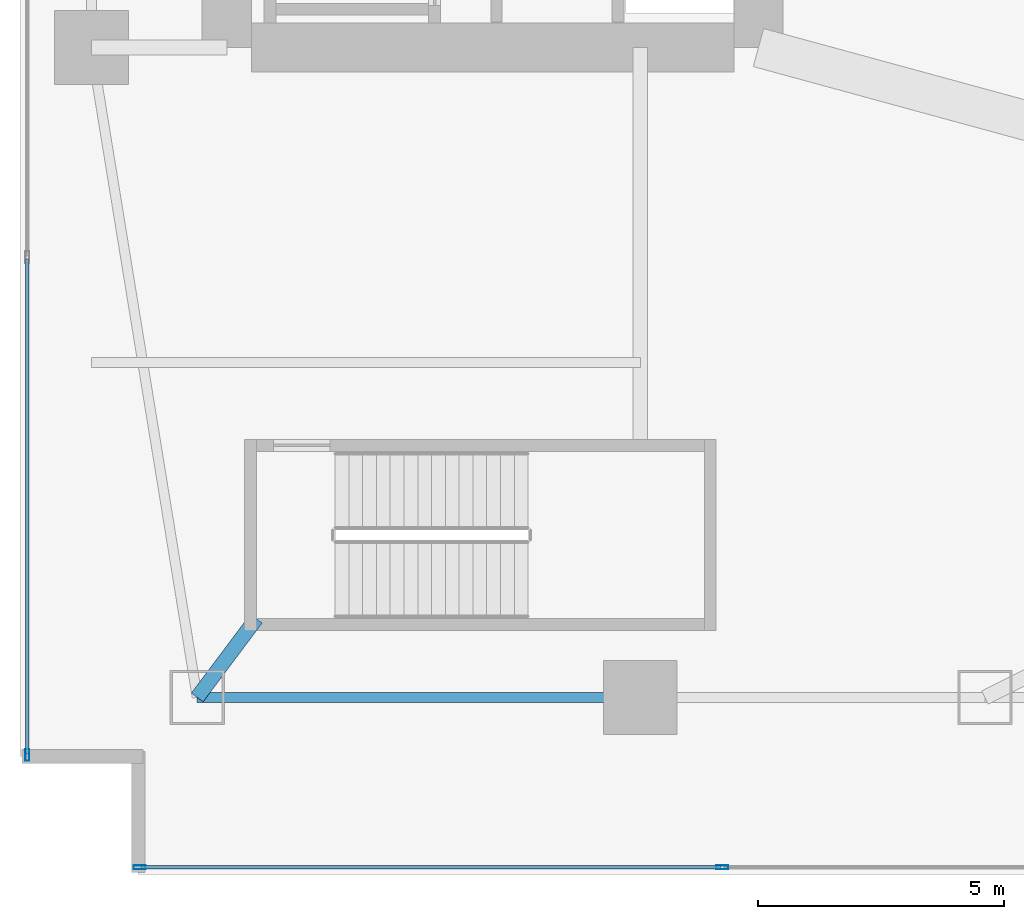
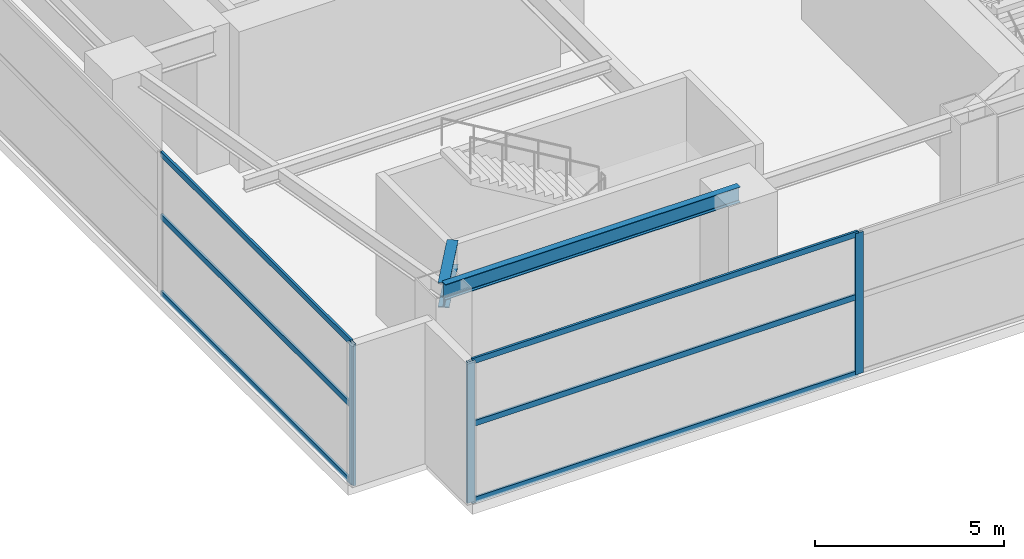
# One storey, part 4 of 30: 9 members, 2 beams, 2 elements without a shape of their own.
"""IFC4 building model written with IfcOpenShell, lengths in metres."""

from ifc_helpers import new_model, si_unit, direction, frame, origin, origin_2d, place, context, subcontext, project, spatial, hollow_rectangle, i_section, extrude, material, layer, layer_set, material_profile, profile_set, type_object, element, aggregate, save


model = new_model("IFC4")

# Units and contexts
model_context = context("Model", 3, precision=1e-05, world=origin(), true_north=direction((0.0, 1.0)))
body_context = subcontext(model_context, "Body", "Model", "MODEL_VIEW")
ifc_project = project(units=[si_unit("LENGTHUNIT", "METRE"), si_unit("AREAUNIT", "SQUARE_METRE"), si_unit("VOLUMEUNIT", "CUBIC_METRE"), si_unit("PLANEANGLEUNIT", "RADIAN"), si_unit("MASSUNIT", "GRAM", prefix="KILO")], contexts=[model_context])

# Site, building, storey
site_placement = place(None, origin())
site = spatial("IfcSite", under=ifc_project, at=site_placement, CompositionType="ELEMENT")
building_placement = place(site_placement, origin())
building = spatial("IfcBuilding", under=site, at=building_placement, Name="Calvorn Quay Hotel", CompositionType="ELEMENT")
storey_placement = place(building_placement, frame((0.0, 0.0, 17.0)))
storey = spatial("IfcBuildingStorey", under=building, at=storey_placement, Name="L03", CompositionType="ELEMENT", Elevation=17.0)

# Beams
ifc_material_1 = material(Name="Steel Q390GJC", Category="steel")
ifc_material_profile_1 = material_profile(ifc_material_1, i_section(OverallWidth=0.300048828125, OverallDepth=0.800048828125, WebThickness=0.013916015625, FlangeThickness=0.02587890625, FilletRadius=0.02392578125, at=origin_2d()), Name="HN800x300x14x26")
ifc_profile_set_1 = profile_set([ifc_material_profile_1], Name="Steel Q390GJC")
beam_type_1 = type_object("IfcBeamType", Name="BM-GIRD-POD", PredefinedType="BEAM", material=ifc_profile_set_1)
beam_1_placement = place(storey_placement, frame((3.60009765625, 3.60009765625, 4.14990234375), z_axis=(0.600019532502, 0.799985350251, 0.0), x_axis=(-0.799985350251, 0.600019532502, 0.0)))
element("IfcBeam", 1, at=beam_1_placement, inside=storey, type_object=beam_type_1, Name="Beam BG-L03-W0", PredefinedType="BEAM", context=body_context, shape_type="SweptSolid", body=[
    extrude(i_section(OverallWidth=0.300048828125, OverallDepth=0.800048828125, WebThickness=0.013916015625, FlangeThickness=0.02587890625, FilletRadius=0.02392578125, at=origin_2d()), origin(), (0.0, 0.0, 1.0), 1.999755859375),
])
ifc_material_2 = material(Name="Steel Q355B", Category="steel")
ifc_material_profile_2 = material_profile(ifc_material_2, i_section(OverallWidth=0.199951171875, OverallDepth=0.5, WebThickness=0.010009765625, FlangeThickness=0.01611328125, FilletRadius=0.01611328125, at=origin_2d()), Name="HN500x200x10x16")
ifc_profile_set_2 = profile_set([ifc_material_profile_2], Name="Steel Q355B")
beam_type_2 = type_object("IfcBeamType", Name="BM-SPANDREL-Z1", PredefinedType="SPANDREL", material=ifc_profile_set_2)
beam_2_placement = place(storey_placement, frame((3.60009765625, 3.60009765625, 4.300048828125), z_axis=(1.0, 0.0, 0.0), x_axis=(0.0, 1.0, 0.0)))
element("IfcBeam", 2, at=beam_2_placement, inside=storey, type_object=beam_type_2, Name="Beam BSP-L03-S1", PredefinedType="SPANDREL", context=body_context, shape_type="SweptSolid", body=[
    extrude(i_section(OverallWidth=0.199951171875, OverallDepth=0.5, WebThickness=0.010009765625, FlangeThickness=0.01611328125, FilletRadius=0.01611328125, at=origin_2d()), origin(), (0.0, 0.0, 1.0), 9.0),
])

# Curtain wall, members
ifc_material_3 = material(Name="Pale Anodised Aluminium and Low-E Glass", Category="aluminium")
ifc_layer = layer(ifc_material_3, 0.219970703125)
ifc_layer_set = layer_set([ifc_layer], Name="CW-SYS-POD")
curtain_wall_type = type_object("IfcCurtainWallType", Name="CW-SYS-POD", PredefinedType="NOTDEFINED", material=ifc_layer_set)
curtain_wall_1_placement = place(storey_placement, origin())
curtain_wall_1 = element("IfcCurtainWall", 3, at=curtain_wall_1_placement, inside=storey, type_object=curtain_wall_type, Name="Podium Curtain Wall L03-S1", PredefinedType="NOTDEFINED")
ifc_material_4 = material(Name="Pale Anodised Aluminium 6063-T6", Category="aluminium")
ifc_material_profile_3 = material_profile(ifc_material_4, hollow_rectangle(XDim=0.080078125, YDim=0.239990234375, WallThickness=0.0048828125, at=origin_2d()), Name="ALU-M240x80x5")
ifc_profile_set_3 = profile_set([ifc_material_profile_3], Name="Pale Anodised Aluminium 6063-T6")
member_type_1 = type_object("IfcMemberType", Name="CW-SYS-POD-MUL", PredefinedType="MULLION", material=ifc_profile_set_3)
member_1_placement = place(storey_placement, frame((2.429931640625, 0.14990234375, 0.0), z_axis=(0.0, 0.0, 1.0), x_axis=(0.0, 1.0, 0.0)))
member_1 = element("IfcMember", 4, at=member_1_placement, type_object=member_type_1, Name="CW-L03-S1 mullion 1", PredefinedType="MULLION", context=body_context, shape_type="SweptSolid", body=[
    extrude(hollow_rectangle(XDim=0.080078125, YDim=0.239990234375, WallThickness=0.0048828125, at=origin_2d()), origin(), (0.0, 0.0, 1.0), 4.550048828125),
])
member_2_placement = place(storey_placement, frame((14.2666015625, 0.14990234375, 0.0), z_axis=(0.0, 0.0, 1.0), x_axis=(0.0, 1.0, 0.0)))
member_2 = element("IfcMember", 5, at=member_2_placement, type_object=member_type_1, Name="CW-L03-S1 mullion 2", PredefinedType="MULLION", context=body_context, shape_type="SweptSolid", body=[
    extrude(hollow_rectangle(XDim=0.080078125, YDim=0.239990234375, WallThickness=0.0048828125, at=origin_2d()), origin(), (0.0, 0.0, 1.0), 4.550048828125),
])

# Curtain wall, member
curtain_wall_2_placement = place(storey_placement, origin())
curtain_wall_2 = element("IfcCurtainWall", 6, at=curtain_wall_2_placement, inside=storey, type_object=curtain_wall_type, Name="Podium Curtain Wall L03-W1", PredefinedType="NOTDEFINED")
member_3_placement = place(storey_placement, frame((0.14990234375, 2.429931640625, 0.0), z_axis=(0.0, 0.0, 1.0), x_axis=(-1.0, 0.0, 0.0)))
member_3 = element("IfcMember", 7, at=member_3_placement, type_object=member_type_1, Name="CW-L03-W1 mullion 1", PredefinedType="MULLION", context=body_context, shape_type="SweptSolid", body=[
    extrude(hollow_rectangle(XDim=0.080078125, YDim=0.239990234375, WallThickness=0.0048828125, at=origin_2d()), origin(), (0.0, 0.0, 1.0), 4.550048828125),
])

# Member
ifc_material_5 = material(Name="Pale Anodised Aluminium 6063-T6", Category="aluminium")
ifc_material_profile_4 = material_profile(ifc_material_5, hollow_rectangle(XDim=0.070068359375, YDim=0.179931640625, WallThickness=0.00390625, at=origin_2d()), Name="ALU-T180x70x4")
ifc_profile_set_4 = profile_set([ifc_material_profile_4], Name="Pale Anodised Aluminium 6063-T6")
member_type_2 = type_object("IfcMemberType", Name="CW-SYS-POD-TRN", PredefinedType="USERDEFINED", material=ifc_profile_set_4)
member_4_placement = place(storey_placement, frame((2.4599609375, 0.14990234375, 0.030029296875), z_axis=(1.0, 0.0, 0.0), x_axis=(0.0, 1.0, 0.0)))
member_4 = element("IfcMember", 8, at=member_4_placement, type_object=member_type_2, Name="CW-L03-S1 transom 1.1", ObjectType="TRANSOM", PredefinedType="USERDEFINED", context=body_context, shape_type="SweptSolid", body=[
    extrude(hollow_rectangle(XDim=0.070068359375, YDim=0.179931640625, WallThickness=0.00390625, at=origin_2d()), origin(), (0.0, 0.0, 1.0), 11.776611328125),
])

member_5_placement = place(storey_placement, frame((2.4599609375, 0.14990234375, 2.5), z_axis=(1.0, 0.0, 0.0), x_axis=(0.0, 1.0, 0.0)))
member_5 = element("IfcMember", 9, at=member_5_placement, type_object=member_type_2, Name="CW-L03-S1 transom 1.2", ObjectType="TRANSOM", PredefinedType="USERDEFINED", context=body_context, shape_type="SweptSolid", body=[
    extrude(hollow_rectangle(XDim=0.070068359375, YDim=0.179931640625, WallThickness=0.00390625, at=origin_2d()), origin(), (0.0, 0.0, 1.0), 11.776611328125),
])

member_6_placement = place(storey_placement, frame((2.4599609375, 0.14990234375, 4.52001953125), z_axis=(1.0, 0.0, 0.0), x_axis=(0.0, 1.0, 0.0)))
member_6 = element("IfcMember", 10, at=member_6_placement, type_object=member_type_2, Name="CW-L03-S1 transom 1.3", ObjectType="TRANSOM", PredefinedType="USERDEFINED", context=body_context, shape_type="SweptSolid", body=[
    extrude(hollow_rectangle(XDim=0.070068359375, YDim=0.179931640625, WallThickness=0.00390625, at=origin_2d()), origin(), (0.0, 0.0, 1.0), 11.776611328125),
])

aggregate(curtain_wall_1, [member_1, member_2, member_4, member_5, member_6])

member_7_placement = place(storey_placement, frame((0.14990234375, 2.4599609375, 0.030029296875), z_axis=(0.0, 1.0, 0.0), x_axis=(-1.0, 0.0, 0.0)))
member_7 = element("IfcMember", 11, at=member_7_placement, type_object=member_type_2, Name="CW-L03-W1 transom 1.1", ObjectType="TRANSOM", PredefinedType="USERDEFINED", context=body_context, shape_type="SweptSolid", body=[
    extrude(hollow_rectangle(XDim=0.070068359375, YDim=0.179931640625, WallThickness=0.00390625, at=origin_2d()), origin(), (0.0, 0.0, 1.0), 10.050048828125),
])

member_8_placement = place(storey_placement, frame((0.14990234375, 2.4599609375, 2.5), z_axis=(0.0, 1.0, 0.0), x_axis=(-1.0, 0.0, 0.0)))
member_8 = element("IfcMember", 12, at=member_8_placement, type_object=member_type_2, Name="CW-L03-W1 transom 1.2", ObjectType="TRANSOM", PredefinedType="USERDEFINED", context=body_context, shape_type="SweptSolid", body=[
    extrude(hollow_rectangle(XDim=0.070068359375, YDim=0.179931640625, WallThickness=0.00390625, at=origin_2d()), origin(), (0.0, 0.0, 1.0), 10.050048828125),
])

member_9_placement = place(storey_placement, frame((0.14990234375, 2.4599609375, 4.52001953125), z_axis=(0.0, 1.0, 0.0), x_axis=(-1.0, 0.0, 0.0)))
member_9 = element("IfcMember", 13, at=member_9_placement, type_object=member_type_2, Name="CW-L03-W1 transom 1.3", ObjectType="TRANSOM", PredefinedType="USERDEFINED", context=body_context, shape_type="SweptSolid", body=[
    extrude(hollow_rectangle(XDim=0.070068359375, YDim=0.179931640625, WallThickness=0.00390625, at=origin_2d()), origin(), (0.0, 0.0, 1.0), 10.050048828125),
])

aggregate(curtain_wall_2, [member_3, member_7, member_8, member_9])

save(model, "model.ifc")
